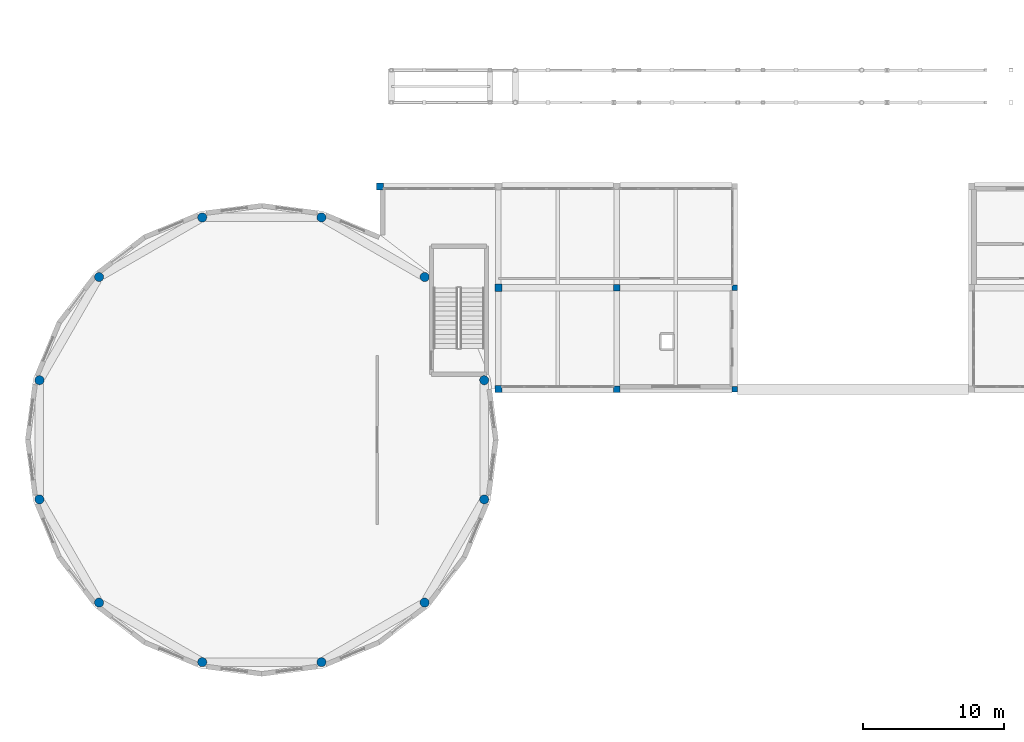
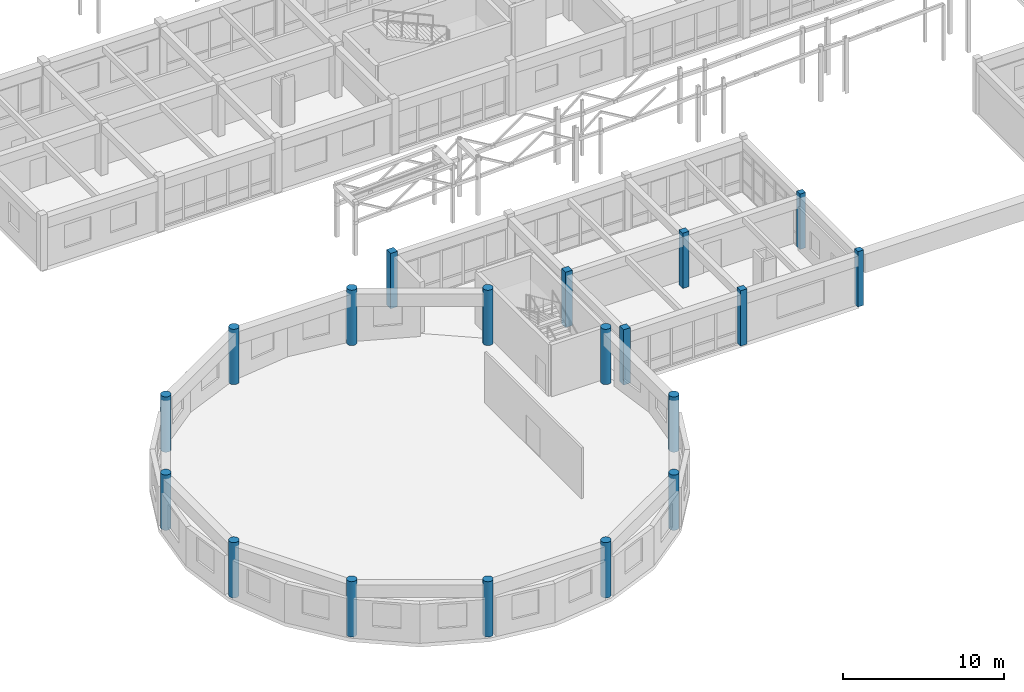
# One storey, part 1 of 147: 19 columns.
"""IFC4 building model written with IfcOpenShell, lengths in metres."""

from ifc_helpers import new_model, si_unit, direction, frame, origin, origin_2d, place, context, subcontext, project, spatial, rectangle, circle, extrude, material, material_profile, profile_set, type_object, element, save


model = new_model("IFC4")

# Units and contexts
model_context = context("Model", 3, precision=1e-05, world=origin(), true_north=direction((0.0, 1.0)))
body_context = subcontext(model_context, "Body", "Model", "MODEL_VIEW")
ifc_project = project(units=[si_unit("LENGTHUNIT", "METRE"), si_unit("AREAUNIT", "SQUARE_METRE"), si_unit("VOLUMEUNIT", "CUBIC_METRE"), si_unit("PLANEANGLEUNIT", "RADIAN"), si_unit("MASSUNIT", "GRAM", prefix="KILO")], contexts=[model_context])

# Site, building, storey
site_placement = place(None, origin())
site = spatial("IfcSite", under=ifc_project, at=site_placement, CompositionType="ELEMENT")
building_placement = place(site_placement, origin())
building = spatial("IfcBuilding", under=site, at=building_placement, Name="Malvenik Polytechnic", CompositionType="ELEMENT")
storey_placement = place(building_placement, frame((0.0, 0.0, 5.10009765625)))
storey = spatial("IfcBuildingStorey", under=building, at=storey_placement, Name="L01", CompositionType="ELEMENT", Elevation=5.10009765625)

# Columns
ifc_material_1 = material(Name="Concrete C35/45", Category="concrete")
ifc_material_profile_1 = material_profile(ifc_material_1, rectangle(XDim=0.5, YDim=0.5, at=origin_2d()), Name="RC COL 500x500")
ifc_profile_set_1 = profile_set([ifc_material_profile_1], Name="Concrete C35/45")
column_type_1 = type_object("IfcColumnType", Name="STR-COL-C-08", PredefinedType="COLUMN", material=ifc_profile_set_1)
for number, where, z_axis, x_axis, name in (
    (1, (25.199951171875, 36.0, 0.0), (0.0, 0.0, 1.0), (1.0, 0.0, 0.0), "Column C-08 L01 (25.2,36.0)"),
    (2, (33.60009765625, 21.60009765625, 0.0), (0.0, 0.0, 1.0), (1.0, 0.0, 0.0), "Column C-08 L01 (33.6,21.6)"),
    (3, (33.60009765625, 28.800048828125, 0.0), (0.0, 0.0, 1.0), (1.0, 0.0, 0.0), "Column C-08 L01 (33.6,28.8)"),
):
    element("IfcColumn", number, at=place(storey_placement, frame(where, z_axis=z_axis, x_axis=x_axis)), inside=storey, type_object=column_type_1, Name=name, PredefinedType="COLUMN", context=body_context, shape_type="SweptSolid", body=[
        extrude(rectangle(XDim=0.5, YDim=0.5, at=origin_2d()), origin(), (0.0, 0.0, 1.0), 4.199951171875),
    ])
ifc_material_profile_2 = material_profile(ifc_material_1, rectangle(XDim=0.449951171875, YDim=0.449951171875, at=origin_2d()), Name="RC COL 450x450")
ifc_profile_set_2 = profile_set([ifc_material_profile_2], Name="Concrete C35/45")
column_type_2 = type_object("IfcColumnType", Name="STR-COL-C-09", PredefinedType="COLUMN", material=ifc_profile_set_2)
for number, where, z_axis, x_axis, name in (
    (4, (42.0, 21.60009765625, 0.0), (0.0, 0.0, 1.0), (1.0, 0.0, 0.0), "Column C-09 L01 (42.0,21.6)"),
    (5, (42.0, 28.800048828125, 0.0), (0.0, 0.0, 1.0), (1.0, 0.0, 0.0), "Column C-09 L01 (42.0,28.8)"),
):
    element("IfcColumn", number, at=place(storey_placement, frame(where, z_axis=z_axis, x_axis=x_axis)), inside=storey, type_object=column_type_2, Name=name, PredefinedType="COLUMN", context=body_context, shape_type="SweptSolid", body=[
        extrude(rectangle(XDim=0.449951171875, YDim=0.449951171875, at=origin_2d()), origin(), (0.0, 0.0, 1.0), 4.199951171875),
    ])
ifc_material_2 = material(Name="Concrete C30/37", Category="concrete")
ifc_material_profile_3 = material_profile(ifc_material_2, rectangle(XDim=0.39990234375, YDim=0.39990234375, at=origin_2d()), Name="RC COL 400x400")
ifc_profile_set_3 = profile_set([ifc_material_profile_3], Name="Concrete C30/37")
column_type_3 = type_object("IfcColumnType", Name="STR-COL-C-10", PredefinedType="COLUMN", material=ifc_profile_set_3)
for number, where, z_axis, x_axis, name in (
    (6, (50.39990234375, 21.60009765625, 0.0), (0.0, 0.0, 1.0), (1.0, 0.0, 0.0), "Column C-10 L01 (50.4,21.6)"),
    (7, (50.39990234375, 28.800048828125, 0.0), (0.0, 0.0, 1.0), (1.0, 0.0, 0.0), "Column C-10 L01 (50.4,28.8)"),
):
    element("IfcColumn", number, at=place(storey_placement, frame(where, z_axis=z_axis, x_axis=x_axis)), inside=storey, type_object=column_type_3, Name=name, PredefinedType="COLUMN", context=body_context, shape_type="SweptSolid", body=[
        extrude(rectangle(XDim=0.39990234375, YDim=0.39990234375, at=origin_2d()), origin(), (0.0, 0.0, 1.0), 4.199951171875),
    ])
ifc_material_profile_4 = material_profile(ifc_material_1, circle(Radius=0.324951171875, at=origin_2d()), Name="RC COL D650")
ifc_profile_set_4 = profile_set([ifc_material_profile_4], Name="Concrete C35/45")
column_type_4 = type_object("IfcColumnType", Name="STR-COL-C-17", PredefinedType="COLUMN", material=ifc_profile_set_4)
for number, where, z_axis, x_axis, name in (
    (8, (1.007080078125, 13.76806640625, 0.0), (0.0, 0.0, 1.0), (1.0, 0.0, 0.0), "Column C-17 L01 (1.0,13.8)"),
    (9, (1.007080078125, 22.23193359375, 0.0), (0.0, 0.0, 1.0), (1.0, 0.0, 0.0), "Column C-17 L01 (1.0,22.2)"),
    (10, (5.239013671875, 6.43896484375, 0.0), (0.0, 0.0, 1.0), (1.0, 0.0, 0.0), "Column C-17 L01 (5.2,6.4)"),
    (11, (5.239013671875, 29.56103515625, 0.0), (0.0, 0.0, 1.0), (1.0, 0.0, 0.0), "Column C-17 L01 (5.2,29.6)"),
    (12, (12.568115234375, 2.20703125, 0.0), (0.0, 0.0, 1.0), (1.0, 0.0, 0.0), "Column C-17 L01 (12.6,2.2)"),
    (13, (12.568115234375, 33.79296875, 0.0), (0.0, 0.0, 1.0), (1.0, 0.0, 0.0), "Column C-17 L01 (12.6,33.8)"),
    (14, (21.031982421875, 2.20703125, 0.0), (0.0, 0.0, 1.0), (1.0, 0.0, 0.0), "Column C-17 L01 (21.0,2.2)"),
    (15, (21.031982421875, 33.79296875, 0.0), (0.0, 0.0, 1.0), (1.0, 0.0, 0.0), "Column C-17 L01 (21.0,33.8)"),
    (16, (28.361083984375, 6.43896484375, 0.0), (0.0, 0.0, 1.0), (1.0, 0.0, 0.0), "Column C-17 L01 (28.4,6.4)"),
    (17, (28.361083984375, 29.56103515625, 0.0), (0.0, 0.0, 1.0), (1.0, 0.0, 0.0), "Column C-17 L01 (28.4,29.6)"),
    (18, (32.593017578125, 13.76806640625, 0.0), (0.0, 0.0, 1.0), (1.0, 0.0, 0.0), "Column C-17 L01 (32.6,13.8)"),
    (19, (32.593017578125, 22.23193359375, 0.0), (0.0, 0.0, 1.0), (1.0, 0.0, 0.0), "Column C-17 L01 (32.6,22.2)"),
):
    element("IfcColumn", number, at=place(storey_placement, frame(where, z_axis=z_axis, x_axis=x_axis)), inside=storey, type_object=column_type_4, Name=name, PredefinedType="COLUMN", context=body_context, shape_type="SweptSolid", body=[
        extrude(circle(Radius=0.324951171875, at=origin_2d()), origin(), (0.0, 0.0, 1.0), 4.199951171875),
    ])

save(model, "model.ifc")
